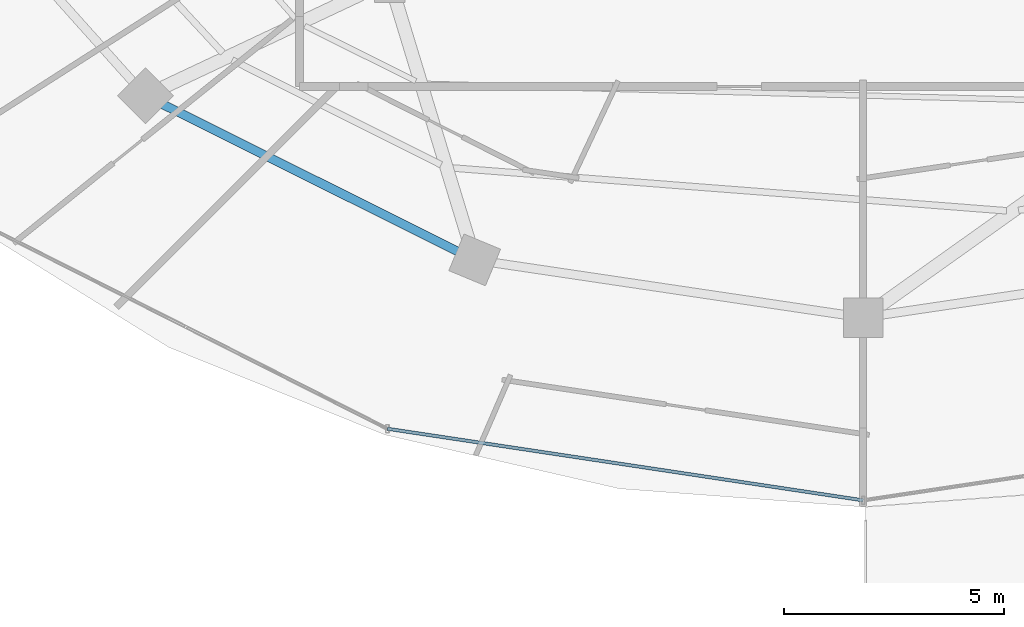
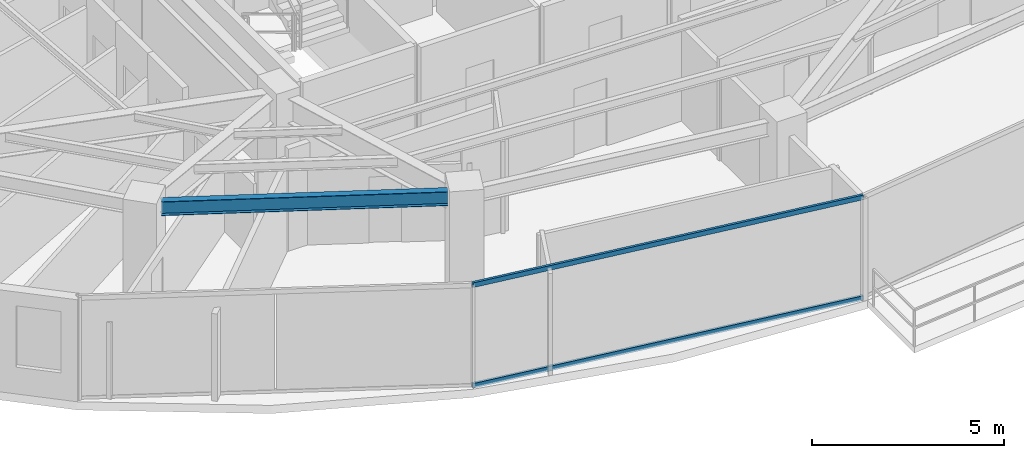
# One storey, part 4 of 33: 2 members, 1 beam, 1 element without a shape of its own.
"""IFC4 building model written with IfcOpenShell, lengths in metres."""

from ifc_helpers import new_model, si_unit, direction, frame, origin, origin_2d, place, context, subcontext, project, spatial, hollow_rectangle, i_section, extrude, material, material_profile, profile_set, type_object, element, aggregate, save


model = new_model("IFC4")

# Units and contexts
model_context = context("Model", 3, precision=1e-05, world=origin(), true_north=direction((0.0, 1.0)))
body_context = subcontext(model_context, "Body", "Model", "MODEL_VIEW")
ifc_project = project(units=[si_unit("LENGTHUNIT", "METRE"), si_unit("AREAUNIT", "SQUARE_METRE"), si_unit("VOLUMEUNIT", "CUBIC_METRE"), si_unit("PLANEANGLEUNIT", "RADIAN"), si_unit("MASSUNIT", "GRAM", prefix="KILO")], contexts=[model_context])

# Site, building, storey
site_placement = place(None, origin())
site = spatial("IfcSite", under=ifc_project, at=site_placement, CompositionType="ELEMENT")
building_placement = place(site_placement, origin())
building = spatial("IfcBuilding", under=site, at=building_placement, Name="Vorneva Point Tower", CompositionType="ELEMENT")
storey_placement = place(building_placement, frame((0.0, 0.0, 189.60009765625)))
storey = spatial("IfcBuildingStorey", under=building, at=storey_placement, Name="L51", CompositionType="ELEMENT", Elevation=189.60009765625)

# Beam
ifc_material_1 = material(Name="Steel S355", Category="steel")
ifc_material_profile_1 = material_profile(ifc_material_1, i_section(OverallWidth=0.198974609375, OverallDepth=0.446044921875, WebThickness=0.008056640625, FlangeThickness=0.011962890625, at=origin_2d()), Name="45B1")
ifc_profile_set_1 = profile_set([ifc_material_profile_1], Name="Steel S355")
beam_type = type_object("IfcBeamType", Name="BM-SPN-45B1", PredefinedType="SPANDREL", material=ifc_profile_set_1)
beam_placement = place(storey_placement, frame((22.090576171875, 13.643798828125, 3.016845703125), z_axis=(0.894922371084, -0.446221861559, 0.0), x_axis=(0.446221861559, 0.894922371084, 0.0)))
element("IfcBeam", 1, at=beam_placement, inside=storey, type_object=beam_type, Name="L51 Perimeter Spandrel Ring Beam 11", PredefinedType="SPANDREL", context=body_context, shape_type="SweptSolid", body=[
    extrude(i_section(OverallWidth=0.198974609375, OverallDepth=0.446044921875, WebThickness=0.008056640625, FlangeThickness=0.011962890625, at=origin_2d()), origin(), (0.0, 0.0, 1.0), 7.48583984375),
])

# Curtain wall, members
ifc_material_2 = material(Name="Pale anodised aluminium", Category="aluminium")
curtain_wall_type = type_object("IfcCurtainWallType", Name="CW-RES-SYS", PredefinedType="NOTDEFINED", material=ifc_material_2)
curtain_wall_placement = place(storey_placement, origin())
curtain_wall = element("IfcCurtainWall", 2, at=curtain_wall_placement, inside=storey, type_object=curtain_wall_type, Name="L51 Unitised Curtain Wall CW-L51-R04", PredefinedType="NOTDEFINED")
ifc_material_profile_2 = material_profile(ifc_material_2, hollow_rectangle(XDim=0.074951171875, YDim=0.14990234375, WallThickness=0.00390625, at=origin_2d()), Name="AL-TRN 150x75x4")
ifc_profile_set_2 = profile_set([ifc_material_profile_2], Name="Pale anodised aluminium")
member_type = type_object("IfcMemberType", Name="CW-TRN-150", PredefinedType="USERDEFINED", material=ifc_profile_set_2)
member_1_placement = place(storey_placement, frame((27.19677734375, 6.275146484375, 0.02001953125), z_axis=(0.988872333273, -0.148766624239, 0.0), x_axis=(0.148766624239, 0.988872333273, 0.0)))
member_1 = element("IfcMember", 3, at=member_1_placement, type_object=member_type, Name="CW-L51-R04 Transom 02.1", ObjectType="TRANSOM", PredefinedType="USERDEFINED", context=body_context, shape_type="SweptSolid", body=[
    extrude(hollow_rectangle(XDim=0.074951171875, YDim=0.14990234375, WallThickness=0.00390625, at=origin_2d()), origin(), (0.0, 0.0, 1.0), 10.9248046875),
])
member_2_placement = place(storey_placement, frame((27.19677734375, 6.275146484375, 3.219970703125), z_axis=(0.988872333273, -0.148766624239, 0.0), x_axis=(0.148766624239, 0.988872333273, 0.0)))
member_2 = element("IfcMember", 4, at=member_2_placement, type_object=member_type, Name="CW-L51-R04 Transom 02.2", ObjectType="TRANSOM", PredefinedType="USERDEFINED", context=body_context, shape_type="SweptSolid", body=[
    extrude(hollow_rectangle(XDim=0.074951171875, YDim=0.14990234375, WallThickness=0.00390625, at=origin_2d()), origin(), (0.0, 0.0, 1.0), 10.9248046875),
])
aggregate(curtain_wall, [member_1, member_2])

save(model, "model.ifc")
